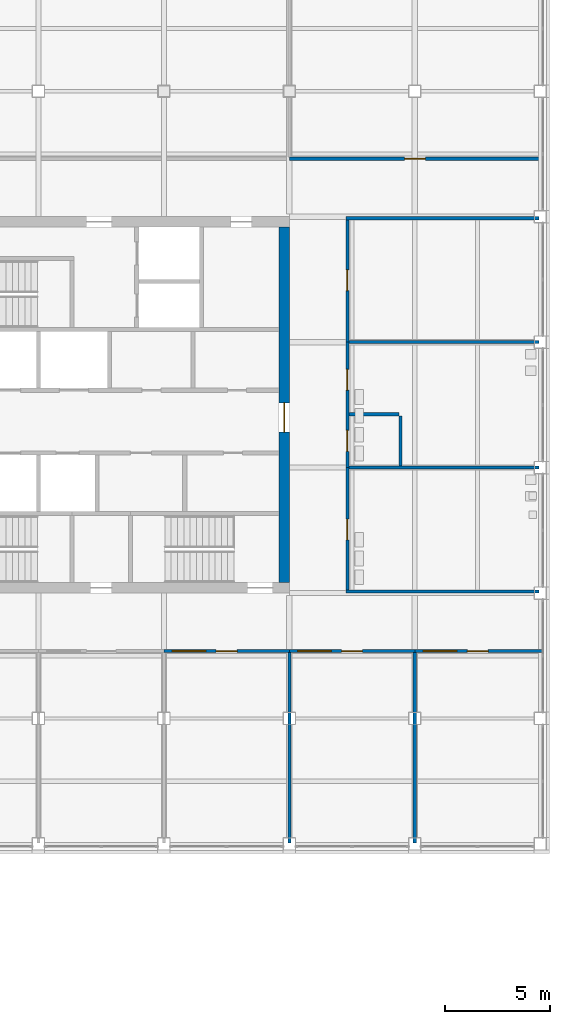
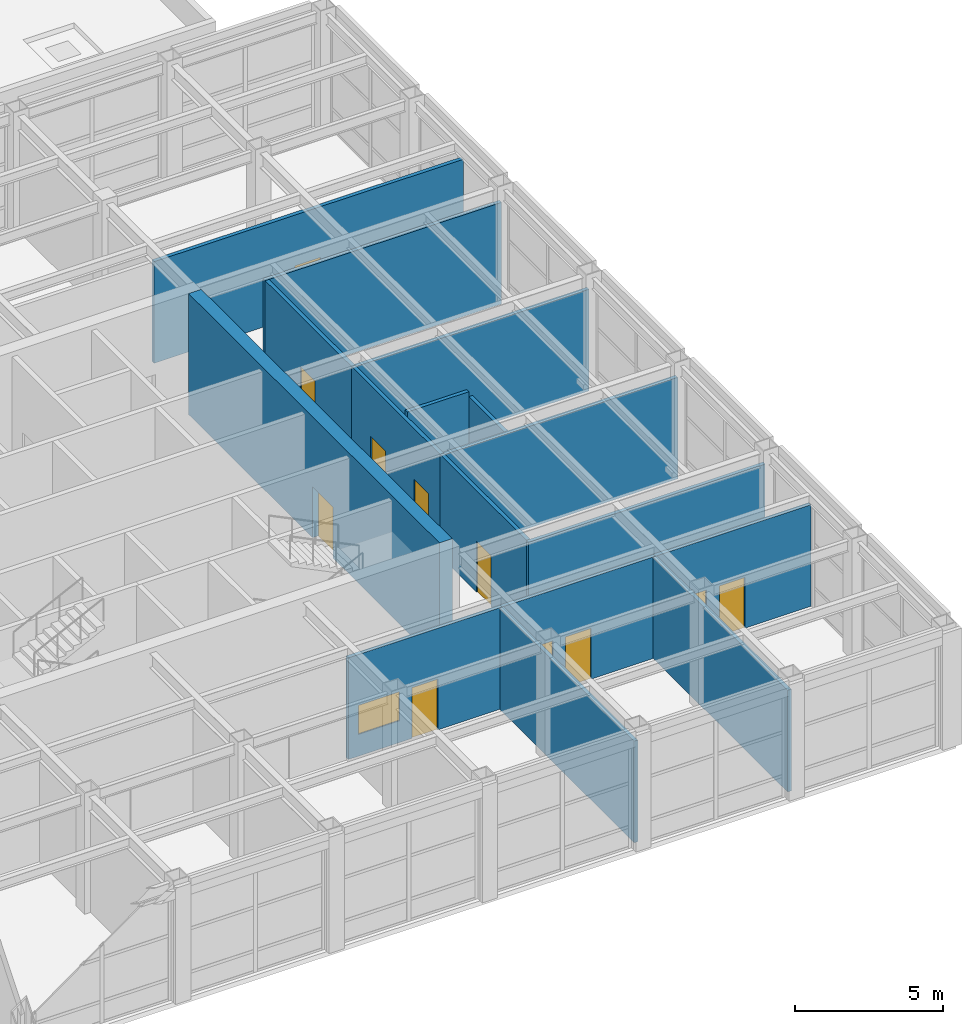
# One storey, part 44 of 67: 16 walls, 9 doors, 3 windows, 12 openings.
"""IFC4 building model written with IfcOpenShell, lengths in metres."""

from ifc_helpers import new_model, si_unit, direction, frame, frame_2d, origin, place, context, subcontext, project, spatial, rectangle, extrude, material, layer, layer_set, type_object, element, fill, save


model = new_model("IFC4")

# Units and contexts
model_context = context("Model", 3, precision=1e-05, world=origin(), true_north=direction((0.0, 1.0)))
body_context = subcontext(model_context, "Body", "Model", "MODEL_VIEW")
ifc_project = project(units=[si_unit("LENGTHUNIT", "METRE"), si_unit("AREAUNIT", "SQUARE_METRE"), si_unit("VOLUMEUNIT", "CUBIC_METRE"), si_unit("PLANEANGLEUNIT", "RADIAN"), si_unit("MASSUNIT", "GRAM", prefix="KILO")], contexts=[model_context])

# Site, building, storey
site_placement = place(None, origin())
site = spatial("IfcSite", under=ifc_project, at=site_placement, CompositionType="ELEMENT")
building_placement = place(site_placement, origin())
building = spatial("IfcBuilding", under=site, at=building_placement, Name="Aravalli Gate Trade Fair Centre", CompositionType="ELEMENT")
storey_placement = place(building_placement, frame((0.0, 0.0, 5.0)))
storey = spatial("IfcBuildingStorey", under=building, at=storey_placement, Name="L01", CompositionType="ELEMENT", Elevation=5.0)

# Wall, opening, door
ifc_material_1 = material(Name="Concrete M50", Category="concrete")
ifc_layer_1 = layer(ifc_material_1, 0.5)
ifc_layer_set_1 = layer_set([ifc_layer_1], Name="Concrete M50")
wall_type_1 = type_object("IfcWallType", Name="Wing core shear wall 500", PredefinedType="SHEAR", material=ifc_layer_set_1)
wall_1_placement = place(storey_placement, frame((189.75, 103.5, 0.0), z_axis=(0.0, 0.0, 1.0), x_axis=(0.0, 1.0, 0.0)))
wall_1 = element("IfcWall", 1, at=wall_1_placement, inside=storey, type_object=wall_type_1, Name="Core wall E L01", PredefinedType="SHEAR", context=body_context, shape_type="SweptSolid", body=[
    extrude(rectangle(XDim=17.0, YDim=0.5, at=frame_2d((8.5, 0.0))), origin(), (0.0, 0.0, 1.0), 5.0),
])
opening_1_placement = place(wall_1_placement, frame((7.199951171875, 0.0, 0.0)))
opening_1 = element("IfcOpeningElement", 2, at=opening_1_placement, cuts=wall_1, Name="Opening T-L01-107", PredefinedType="OPENING", context=body_context, shape_type="SweptSolid", body=[
    extrude(rectangle(XDim=1.39990234375, YDim=2.10009765625, at=frame_2d((0.699951171875, 1.050048828125))), frame((0.0, 0.260009765625, 0.0), z_axis=(0.0, -1.0, 0.0), x_axis=(1.0, 0.0, 0.0)), (0.0, 0.0, 1.0), 0.52001953125),
])
ifc_material_2 = material(Name="Steel, fire rated", Category="steel")
door_type_1 = type_object("IfcDoorType", Name="Wing fire door FD120 1400 x 2100", OperationType="DOUBLE_DOOR_SINGLE_SWING", PredefinedType="DOOR", material=ifc_material_2)
door_1_placement = place(opening_1_placement, origin())
door_1 = element("IfcDoor", 3, at=door_1_placement, inside=storey, type_object=door_type_1, Name="Core door T-L01-107", OperationType="DOUBLE_DOOR_SINGLE_SWING", OverallHeight=2.10009765625, OverallWidth=1.39990234375, PredefinedType="DOOR", context=body_context, shape_type="SweptSolid", body=[
    extrude(rectangle(XDim=1.39990234375, YDim=2.10009765625, at=frame_2d((0.699951171875, 1.050048828125))), frame((0.0, 0.02490234375, 0.0), z_axis=(0.0, -1.0, 0.0), x_axis=(1.0, 0.0, 0.0)), (0.0, 0.0, 1.0), 0.050048828125),
])
fill(opening_1, door_1)

# Wall, openings, door, window
ifc_material_3 = material(Name="Blockwork with fire-rated lining", Category="masonry")
ifc_layer_2 = layer(ifc_material_3, 0.14990234375)
ifc_layer_set_2 = layer_set([ifc_layer_2], Name="Blockwork with fire-rated lining")
wall_type_2 = type_object("IfcWallType", Name="Wing partition 150 (EI 60, corridor wall)", PredefinedType="PARTITIONING", material=ifc_layer_set_2)
wall_2_placement = place(storey_placement, frame((184.0, 100.22509765625, 0.0), z_axis=(0.0, 0.0, 1.0), x_axis=(1.0, 0.0, 0.0)))
wall_2 = element("IfcWall", 4, at=wall_2_placement, inside=storey, type_object=wall_type_2, Name="Partition SW5 L01", PredefinedType="PARTITIONING", context=body_context, shape_type="SweptSolid", body=[
    extrude(rectangle(XDim=6.0, YDim=0.14990234375, at=frame_2d((3.0, 0.0))), origin(), (0.0, 0.0, 1.0), 4.199951171875),
])
opening_2_placement = place(wall_2_placement, frame((0.39990234375, 0.0, 0.89990234375)))
opening_2 = element("IfcOpeningElement", 5, at=opening_2_placement, cuts=wall_2, Name="Opening TWN2", PredefinedType="OPENING", context=body_context, shape_type="SweptSolid", body=[
    extrude(rectangle(XDim=1.60009765625, YDim=1.199951171875, at=frame_2d((0.800048828125, 0.60009765625))), frame((0.0, 0.0849609375, 0.0), z_axis=(0.0, -1.0, 0.0), x_axis=(1.0, 0.0, 0.0)), (0.0, 0.0, 1.0), 0.169921875),
])
opening_3_placement = place(wall_2_placement, frame((2.5, 0.0, 0.0)))
opening_3 = element("IfcOpeningElement", 6, at=opening_3_placement, cuts=wall_2, Name="Opening T-L01-145", PredefinedType="OPENING", context=body_context, shape_type="SweptSolid", body=[
    extrude(rectangle(XDim=1.0, YDim=2.10009765625, at=frame_2d((0.5, 1.050048828125))), frame((0.0, 0.0849609375, 0.0), z_axis=(0.0, -1.0, 0.0), x_axis=(1.0, 0.0, 0.0)), (0.0, 0.0, 1.0), 0.169921875),
])
door_type_2 = type_object("IfcDoorType", Name="Wing fire door FD60 1000 x 2100", OperationType="SINGLE_SWING_LEFT", PredefinedType="DOOR", material=ifc_material_2)
door_2_placement = place(opening_3_placement, frame((1.0, 0.0, 0.0), z_axis=(0.0, 0.0, 1.0), x_axis=(-1.0, 0.0, 0.0)))
door_2 = element("IfcDoor", 7, at=door_2_placement, inside=storey, type_object=door_type_2, Name="Door T-L01-145", OperationType="SINGLE_SWING_RIGHT", OverallHeight=2.10009765625, OverallWidth=1.0, PredefinedType="DOOR", context=body_context, shape_type="SweptSolid", body=[
    extrude(rectangle(XDim=1.0, YDim=2.10009765625, at=frame_2d((0.5, 1.050048828125))), frame((0.0, 0.02490234375, 0.0), z_axis=(0.0, -1.0, 0.0), x_axis=(1.0, 0.0, 0.0)), (0.0, 0.0, 1.0), 0.050048828125),
])
fill(opening_3, door_2)
ifc_material_4 = material(Name="Aluminium and glass", Category="aluminium")
window_type = type_object("IfcWindowType", Name="Wing interior glazed screen 1600 x 1200", PartitioningType="SINGLE_PANEL", PredefinedType="WINDOW", material=ifc_material_4)
window_1_placement = place(opening_2_placement, origin())
window_1 = element("IfcWindow", 8, at=window_1_placement, inside=storey, type_object=window_type, Name="Glazed screen T-L01-145", OverallHeight=1.199951171875, OverallWidth=1.60009765625, PartitioningType="SINGLE_PANEL", PredefinedType="WINDOW", context=body_context, shape_type="SweptSolid", body=[
    extrude(rectangle(XDim=1.60009765625, YDim=1.199951171875, at=frame_2d((0.800048828125, 0.60009765625))), frame((0.0, 0.030029296875, 0.0), z_axis=(0.0, -1.0, 0.0), x_axis=(1.0, 0.0, 0.0)), (0.0, 0.0, 1.0), 0.06005859375),
])
fill(opening_2, window_1)

# Wall
wall_3_placement = place(storey_placement, frame((190.0, 91.050048828125, 0.0), z_axis=(0.0, 0.0, 1.0), x_axis=(0.0, 1.0, 0.0)))
element("IfcWall", 9, at=wall_3_placement, inside=storey, type_object=wall_type_2, Name="Partition SP5 L01", PredefinedType="PARTITIONING", context=body_context, shape_type="SweptSolid", body=[
    extrude(rectangle(XDim=9.099853515625, YDim=0.14990234375, at=frame_2d((4.5498046875, 0.0))), origin(), (0.0, 0.0, 1.0), 4.199951171875),
])

# Wall, openings, door, window
wall_4_placement = place(storey_placement, frame((190.0, 100.22509765625, 0.0), z_axis=(0.0, 0.0, 1.0), x_axis=(1.0, 0.0, 0.0)))
wall_4 = element("IfcWall", 10, at=wall_4_placement, inside=storey, type_object=wall_type_2, Name="Partition SW6 L01", PredefinedType="PARTITIONING", context=body_context, shape_type="SweptSolid", body=[
    extrude(rectangle(XDim=6.0, YDim=0.14990234375, at=frame_2d((3.0, 0.0))), origin(), (0.0, 0.0, 1.0), 4.199951171875),
])
opening_4_placement = place(wall_4_placement, frame((0.39990234375, 0.0, 0.89990234375)))
opening_4 = element("IfcOpeningElement", 11, at=opening_4_placement, cuts=wall_4, Name="Opening TWN2", PredefinedType="OPENING", context=body_context, shape_type="SweptSolid", body=[
    extrude(rectangle(XDim=1.60009765625, YDim=1.199951171875, at=frame_2d((0.800048828125, 0.60009765625))), frame((0.0, 0.0849609375, 0.0), z_axis=(0.0, -1.0, 0.0), x_axis=(1.0, 0.0, 0.0)), (0.0, 0.0, 1.0), 0.169921875),
])
opening_5_placement = place(wall_4_placement, frame((2.5, 0.0, 0.0)))
opening_5 = element("IfcOpeningElement", 12, at=opening_5_placement, cuts=wall_4, Name="Opening T-L01-146", PredefinedType="OPENING", context=body_context, shape_type="SweptSolid", body=[
    extrude(rectangle(XDim=1.0, YDim=2.10009765625, at=frame_2d((0.5, 1.050048828125))), frame((0.0, 0.0849609375, 0.0), z_axis=(0.0, -1.0, 0.0), x_axis=(1.0, 0.0, 0.0)), (0.0, 0.0, 1.0), 0.169921875),
])
door_3_placement = place(opening_5_placement, frame((1.0, 0.0, 0.0), z_axis=(0.0, 0.0, 1.0), x_axis=(-1.0, 0.0, 0.0)))
door_3 = element("IfcDoor", 13, at=door_3_placement, inside=storey, type_object=door_type_2, Name="Door T-L01-146", OperationType="SINGLE_SWING_LEFT", OverallHeight=2.10009765625, OverallWidth=1.0, PredefinedType="DOOR", context=body_context, shape_type="SweptSolid", body=[
    extrude(rectangle(XDim=1.0, YDim=2.10009765625, at=frame_2d((0.5, 1.050048828125))), frame((0.0, 0.02490234375, 0.0), z_axis=(0.0, -1.0, 0.0), x_axis=(1.0, 0.0, 0.0)), (0.0, 0.0, 1.0), 0.050048828125),
])
fill(opening_5, door_3)
window_2_placement = place(opening_4_placement, origin())
window_2 = element("IfcWindow", 14, at=window_2_placement, inside=storey, type_object=window_type, Name="Glazed screen T-L01-146", OverallHeight=1.199951171875, OverallWidth=1.60009765625, PartitioningType="SINGLE_PANEL", PredefinedType="WINDOW", context=body_context, shape_type="SweptSolid", body=[
    extrude(rectangle(XDim=1.60009765625, YDim=1.199951171875, at=frame_2d((0.800048828125, 0.60009765625))), frame((0.0, 0.030029296875, 0.0), z_axis=(0.0, -1.0, 0.0), x_axis=(1.0, 0.0, 0.0)), (0.0, 0.0, 1.0), 0.06005859375),
])
fill(opening_4, window_2)

# Wall
wall_5_placement = place(storey_placement, frame((196.0, 91.050048828125, 0.0), z_axis=(0.0, 0.0, 1.0), x_axis=(0.0, 1.0, 0.0)))
element("IfcWall", 15, at=wall_5_placement, inside=storey, type_object=wall_type_2, Name="Partition SP6 L01", PredefinedType="PARTITIONING", context=body_context, shape_type="SweptSolid", body=[
    extrude(rectangle(XDim=9.099853515625, YDim=0.14990234375, at=frame_2d((4.5498046875, 0.0))), origin(), (0.0, 0.0, 1.0), 4.199951171875),
])

# Wall, openings, door, window
wall_6_placement = place(storey_placement, frame((196.0, 100.22509765625, 0.0), z_axis=(0.0, 0.0, 1.0), x_axis=(1.0, 0.0, 0.0)))
wall_6 = element("IfcWall", 16, at=wall_6_placement, inside=storey, type_object=wall_type_2, Name="Partition SW7 L01", PredefinedType="PARTITIONING", context=body_context, shape_type="SweptSolid", body=[
    extrude(rectangle(XDim=6.094970703125, YDim=0.14990234375, at=frame_2d((3.04736328125, 0.0))), origin(), (0.0, 0.0, 1.0), 4.199951171875),
])
opening_6_placement = place(wall_6_placement, frame((0.39990234375, 0.0, 0.89990234375)))
opening_6 = element("IfcOpeningElement", 17, at=opening_6_placement, cuts=wall_6, Name="Opening TWN2", PredefinedType="OPENING", context=body_context, shape_type="SweptSolid", body=[
    extrude(rectangle(XDim=1.60009765625, YDim=1.199951171875, at=frame_2d((0.800048828125, 0.60009765625))), frame((0.0, 0.0849609375, 0.0), z_axis=(0.0, -1.0, 0.0), x_axis=(1.0, 0.0, 0.0)), (0.0, 0.0, 1.0), 0.169921875),
])
opening_7_placement = place(wall_6_placement, frame((2.512451171875, 0.0, 0.0)))
opening_7 = element("IfcOpeningElement", 18, at=opening_7_placement, cuts=wall_6, Name="Opening T-L01-147", PredefinedType="OPENING", context=body_context, shape_type="SweptSolid", body=[
    extrude(rectangle(XDim=1.0, YDim=2.10009765625, at=frame_2d((0.5, 1.050048828125))), frame((0.0, 0.0849609375, 0.0), z_axis=(0.0, -1.0, 0.0), x_axis=(1.0, 0.0, 0.0)), (0.0, 0.0, 1.0), 0.169921875),
])
door_4_placement = place(opening_7_placement, frame((1.0, 0.0, 0.0), z_axis=(0.0, 0.0, 1.0), x_axis=(-1.0, 0.0, 0.0)))
door_4 = element("IfcDoor", 19, at=door_4_placement, inside=storey, type_object=door_type_2, Name="Door T-L01-147", OperationType="SINGLE_SWING_RIGHT", OverallHeight=2.10009765625, OverallWidth=1.0, PredefinedType="DOOR", context=body_context, shape_type="SweptSolid", body=[
    extrude(rectangle(XDim=1.0, YDim=2.10009765625, at=frame_2d((0.5, 1.050048828125))), frame((0.0, 0.02490234375, 0.0), z_axis=(0.0, -1.0, 0.0), x_axis=(1.0, 0.0, 0.0)), (0.0, 0.0, 1.0), 0.050048828125),
])
fill(opening_7, door_4)
window_3_placement = place(opening_6_placement, origin())
window_3 = element("IfcWindow", 20, at=window_3_placement, inside=storey, type_object=window_type, Name="Glazed screen T-L01-147", OverallHeight=1.199951171875, OverallWidth=1.60009765625, PartitioningType="SINGLE_PANEL", PredefinedType="WINDOW", context=body_context, shape_type="SweptSolid", body=[
    extrude(rectangle(XDim=1.60009765625, YDim=1.199951171875, at=frame_2d((0.800048828125, 0.60009765625))), frame((0.0, 0.030029296875, 0.0), z_axis=(0.0, -1.0, 0.0), x_axis=(1.0, 0.0, 0.0)), (0.0, 0.0, 1.0), 0.06005859375),
])
fill(opening_6, window_3)

# Wall, opening, door
wall_7_placement = place(storey_placement, frame((190.0, 123.77490234375, 0.0), z_axis=(0.0, 0.0, 1.0), x_axis=(1.0, 0.0, 0.0)))
wall_7 = element("IfcWall", 21, at=wall_7_placement, inside=storey, type_object=wall_type_2, Name="Partition NW2 L01", PredefinedType="PARTITIONING", context=body_context, shape_type="SweptSolid", body=[
    extrude(rectangle(XDim=12.094970703125, YDim=0.14990234375, at=frame_2d((6.04736328125, 0.0))), origin(), (0.0, 0.0, 1.0), 4.199951171875),
])
opening_8_placement = place(wall_7_placement, frame((5.512451171875, 0.0, 0.0)))
opening_8 = element("IfcOpeningElement", 22, at=opening_8_placement, cuts=wall_7, Name="Opening T-L01-149", PredefinedType="OPENING", context=body_context, shape_type="SweptSolid", body=[
    extrude(rectangle(XDim=1.0, YDim=2.10009765625, at=frame_2d((0.5, 1.050048828125))), frame((0.0, 0.0849609375, 0.0), z_axis=(0.0, -1.0, 0.0), x_axis=(1.0, 0.0, 0.0)), (0.0, 0.0, 1.0), 0.169921875),
])
door_5_placement = place(opening_8_placement, origin())
door_5 = element("IfcDoor", 23, at=door_5_placement, inside=storey, type_object=door_type_2, Name="Door T-L01-149", OperationType="SINGLE_SWING_LEFT", OverallHeight=2.10009765625, OverallWidth=1.0, PredefinedType="DOOR", context=body_context, shape_type="SweptSolid", body=[
    extrude(rectangle(XDim=1.0, YDim=2.10009765625, at=frame_2d((0.5, 1.050048828125))), frame((0.0, 0.02490234375, 0.0), z_axis=(0.0, -1.0, 0.0), x_axis=(1.0, 0.0, 0.0)), (0.0, 0.0, 1.0), 0.050048828125),
])
fill(opening_8, door_5)

wall_8_placement = place(storey_placement, frame((192.77490234375, 103.14990234375, 0.0), z_axis=(0.0, 0.0, 1.0), x_axis=(0.0, 1.0, 0.0)))
wall_8 = element("IfcWall", 24, at=wall_8_placement, inside=storey, type_object=wall_type_2, Name="Partition EW1 L01", PredefinedType="PARTITIONING", context=body_context, shape_type="SweptSolid", body=[
    extrude(rectangle(XDim=5.85009765625, YDim=0.14990234375, at=frame_2d((2.925048828125, 0.0))), origin(), (0.0, 0.0, 1.0), 4.199951171875),
])
opening_9_placement = place(wall_8_placement, frame((2.387451171875, 0.0, 0.0)))
opening_9 = element("IfcOpeningElement", 25, at=opening_9_placement, cuts=wall_8, Name="Opening T-L01-150", PredefinedType="OPENING", context=body_context, shape_type="SweptSolid", body=[
    extrude(rectangle(XDim=1.0, YDim=2.10009765625, at=frame_2d((0.5, 1.050048828125))), frame((0.0, 0.0849609375, 0.0), z_axis=(0.0, -1.0, 0.0), x_axis=(1.0, 0.0, 0.0)), (0.0, 0.0, 1.0), 0.169921875),
])
door_6_placement = place(opening_9_placement, frame((1.0, 0.0, 0.0), z_axis=(0.0, 0.0, 1.0), x_axis=(-1.0, 0.0, 0.0)))
door_6 = element("IfcDoor", 26, at=door_6_placement, inside=storey, type_object=door_type_2, Name="Door T-L01-150", OperationType="SINGLE_SWING_LEFT", OverallHeight=2.10009765625, OverallWidth=1.0, PredefinedType="DOOR", context=body_context, shape_type="SweptSolid", body=[
    extrude(rectangle(XDim=1.0, YDim=2.10009765625, at=frame_2d((0.5, 1.050048828125))), frame((0.0, 0.02490234375, 0.0), z_axis=(0.0, -1.0, 0.0), x_axis=(1.0, 0.0, 0.0)), (0.0, 0.0, 1.0), 0.050048828125),
])
fill(opening_9, door_6)

# Wall
wall_9_placement = place(storey_placement, frame((192.85009765625, 109.0, 0.0), z_axis=(0.0, 0.0, 1.0), x_axis=(1.0, 0.0, 0.0)))
element("IfcWall", 27, at=wall_9_placement, inside=storey, type_object=wall_type_2, Name="Partition EP1 L01", PredefinedType="PARTITIONING", context=body_context, shape_type="SweptSolid", body=[
    extrude(rectangle(XDim=9.099853515625, YDim=0.14990234375, at=frame_2d((4.5498046875, 0.0))), origin(), (0.0, 0.0, 1.0), 4.199951171875),
])

# Wall, openings, doors
wall_10_placement = place(storey_placement, frame((192.77490234375, 109.0, 0.0), z_axis=(0.0, 0.0, 1.0), x_axis=(0.0, 1.0, 0.0)))
wall_10 = element("IfcWall", 28, at=wall_10_placement, inside=storey, type_object=wall_type_2, Name="Partition EW2 L01", PredefinedType="PARTITIONING", context=body_context, shape_type="SweptSolid", body=[
    extrude(rectangle(XDim=6.0, YDim=0.14990234375, at=frame_2d((3.0, 0.0))), origin(), (0.0, 0.0, 1.0), 4.199951171875),
])
opening_10_placement = place(wall_10_placement, frame((3.699951171875, 0.0, 0.0)))
opening_10 = element("IfcOpeningElement", 29, at=opening_10_placement, cuts=wall_10, Name="Opening T-L01-151", PredefinedType="OPENING", context=body_context, shape_type="SweptSolid", body=[
    extrude(rectangle(XDim=1.0, YDim=2.10009765625, at=frame_2d((0.5, 1.050048828125))), frame((0.0, 0.0849609375, 0.0), z_axis=(0.0, -1.0, 0.0), x_axis=(1.0, 0.0, 0.0)), (0.0, 0.0, 1.0), 0.169921875),
])
opening_11_placement = place(wall_10_placement, frame((0.77490234375, 0.0, 0.0)))
opening_11 = element("IfcOpeningElement", 30, at=opening_11_placement, cuts=wall_10, Name="Opening T-L01-152", PredefinedType="OPENING", context=body_context, shape_type="SweptSolid", body=[
    extrude(rectangle(XDim=1.0, YDim=2.10009765625, at=frame_2d((0.5, 1.050048828125))), frame((0.0, 0.0849609375, 0.0), z_axis=(0.0, -1.0, 0.0), x_axis=(1.0, 0.0, 0.0)), (0.0, 0.0, 1.0), 0.169921875),
])
door_7_placement = place(opening_10_placement, frame((1.0, 0.0, 0.0), z_axis=(0.0, 0.0, 1.0), x_axis=(-1.0, 0.0, 0.0)))
door_7 = element("IfcDoor", 31, at=door_7_placement, inside=storey, type_object=door_type_2, Name="Door T-L01-151", OperationType="SINGLE_SWING_RIGHT", OverallHeight=2.10009765625, OverallWidth=1.0, PredefinedType="DOOR", context=body_context, shape_type="SweptSolid", body=[
    extrude(rectangle(XDim=1.0, YDim=2.10009765625, at=frame_2d((0.5, 1.050048828125))), frame((0.0, 0.02490234375, 0.0), z_axis=(0.0, -1.0, 0.0), x_axis=(1.0, 0.0, 0.0)), (0.0, 0.0, 1.0), 0.050048828125),
])
fill(opening_10, door_7)
door_8_placement = place(opening_11_placement, frame((1.0, 0.0, 0.0), z_axis=(0.0, 0.0, 1.0), x_axis=(-1.0, 0.0, 0.0)))
door_8 = element("IfcDoor", 32, at=door_8_placement, inside=storey, type_object=door_type_2, Name="Door T-L01-152", OperationType="SINGLE_SWING_LEFT", OverallHeight=2.10009765625, OverallWidth=1.0, PredefinedType="DOOR", context=body_context, shape_type="SweptSolid", body=[
    extrude(rectangle(XDim=1.0, YDim=2.10009765625, at=frame_2d((0.5, 1.050048828125))), frame((0.0, 0.02490234375, 0.0), z_axis=(0.0, -1.0, 0.0), x_axis=(1.0, 0.0, 0.0)), (0.0, 0.0, 1.0), 0.050048828125),
])
fill(opening_11, door_8)

# Walls
wall_11_placement = place(storey_placement, frame((192.85009765625, 115.0, 0.0), z_axis=(0.0, 0.0, 1.0), x_axis=(1.0, 0.0, 0.0)))
element("IfcWall", 33, at=wall_11_placement, inside=storey, type_object=wall_type_2, Name="Partition EP2 L01", PredefinedType="PARTITIONING", context=body_context, shape_type="SweptSolid", body=[
    extrude(rectangle(XDim=9.099853515625, YDim=0.14990234375, at=frame_2d((4.5498046875, 0.0))), origin(), (0.0, 0.0, 1.0), 4.199951171875),
])
wall_12_placement = place(storey_placement, frame((195.324951171875, 109.074951171875, 0.0), z_axis=(0.0, 0.0, 1.0), x_axis=(0.0, 1.0, 0.0)))
element("IfcWall", 34, at=wall_12_placement, inside=storey, type_object=wall_type_2, Name="Partition EA2x L01", PredefinedType="PARTITIONING", context=body_context, shape_type="SweptSolid", body=[
    extrude(rectangle(XDim=2.400146484375, YDim=0.14990234375, at=frame_2d((1.2001953125, 0.0))), origin(), (0.0, 0.0, 1.0), 4.199951171875),
])
wall_13_placement = place(storey_placement, frame((192.85009765625, 111.550048828125, 0.0), z_axis=(0.0, 0.0, 1.0), x_axis=(1.0, 0.0, 0.0)))
element("IfcWall", 35, at=wall_13_placement, inside=storey, type_object=wall_type_2, Name="Partition EA2y L01", PredefinedType="PARTITIONING", context=body_context, shape_type="SweptSolid", body=[
    extrude(rectangle(XDim=2.39990234375, YDim=0.14990234375, at=frame_2d((1.199951171875, 0.0))), origin(), (0.0, 0.0, 1.0), 4.39990234375),
])

# Wall, opening, door
wall_14_placement = place(storey_placement, frame((192.77490234375, 115.0, 0.0), z_axis=(0.0, 0.0, 1.0), x_axis=(0.0, 1.0, 0.0)))
wall_14 = element("IfcWall", 36, at=wall_14_placement, inside=storey, type_object=wall_type_2, Name="Partition EW3 L01", PredefinedType="PARTITIONING", context=body_context, shape_type="SweptSolid", body=[
    extrude(rectangle(XDim=5.85009765625, YDim=0.14990234375, at=frame_2d((2.925048828125, 0.0))), origin(), (0.0, 0.0, 1.0), 4.199951171875),
])
opening_12_placement = place(wall_14_placement, frame((2.46240234375, 0.0, 0.0)))
opening_12 = element("IfcOpeningElement", 37, at=opening_12_placement, cuts=wall_14, Name="Opening T-L01-153", PredefinedType="OPENING", context=body_context, shape_type="SweptSolid", body=[
    extrude(rectangle(XDim=1.0, YDim=2.10009765625, at=frame_2d((0.5, 1.050048828125))), frame((0.0, 0.0849609375, 0.0), z_axis=(0.0, -1.0, 0.0), x_axis=(1.0, 0.0, 0.0)), (0.0, 0.0, 1.0), 0.169921875),
])
door_9_placement = place(opening_12_placement, frame((1.0, 0.0, 0.0), z_axis=(0.0, 0.0, 1.0), x_axis=(-1.0, 0.0, 0.0)))
door_9 = element("IfcDoor", 38, at=door_9_placement, inside=storey, type_object=door_type_2, Name="Door T-L01-153", OperationType="SINGLE_SWING_RIGHT", OverallHeight=2.10009765625, OverallWidth=1.0, PredefinedType="DOOR", context=body_context, shape_type="SweptSolid", body=[
    extrude(rectangle(XDim=1.0, YDim=2.10009765625, at=frame_2d((0.5, 1.050048828125))), frame((0.0, 0.02490234375, 0.0), z_axis=(0.0, -1.0, 0.0), x_axis=(1.0, 0.0, 0.0)), (0.0, 0.0, 1.0), 0.050048828125),
])
fill(opening_12, door_9)

# Walls
for number, where, z_axis, x_axis, name in (
    (39, (192.699951171875, 103.074951171875, 0.0), (0.0, 0.0, 1.0), (1.0, 0.0, 0.0), "Partition CL-SE L01"),
    (40, (192.699951171875, 120.925048828125, 0.0), (0.0, 0.0, 1.0), (1.0, 0.0, 0.0), "Partition CL-NE L01"),
):
    element("IfcWall", number, at=place(storey_placement, frame(where, z_axis=z_axis, x_axis=x_axis)), inside=storey, type_object=wall_type_2, Name=name, PredefinedType="PARTITIONING", context=body_context, shape_type="SweptSolid", body=[
        extrude(rectangle(XDim=9.25, YDim=0.14990234375, at=frame_2d((4.625, 0.0))), origin(), (0.0, 0.0, 1.0), 4.199951171875),
    ])

save(model, "model.ifc")
